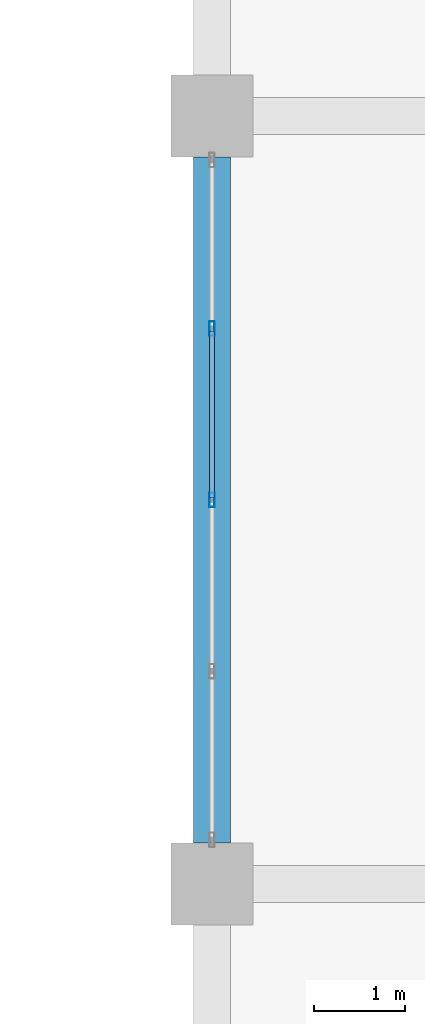
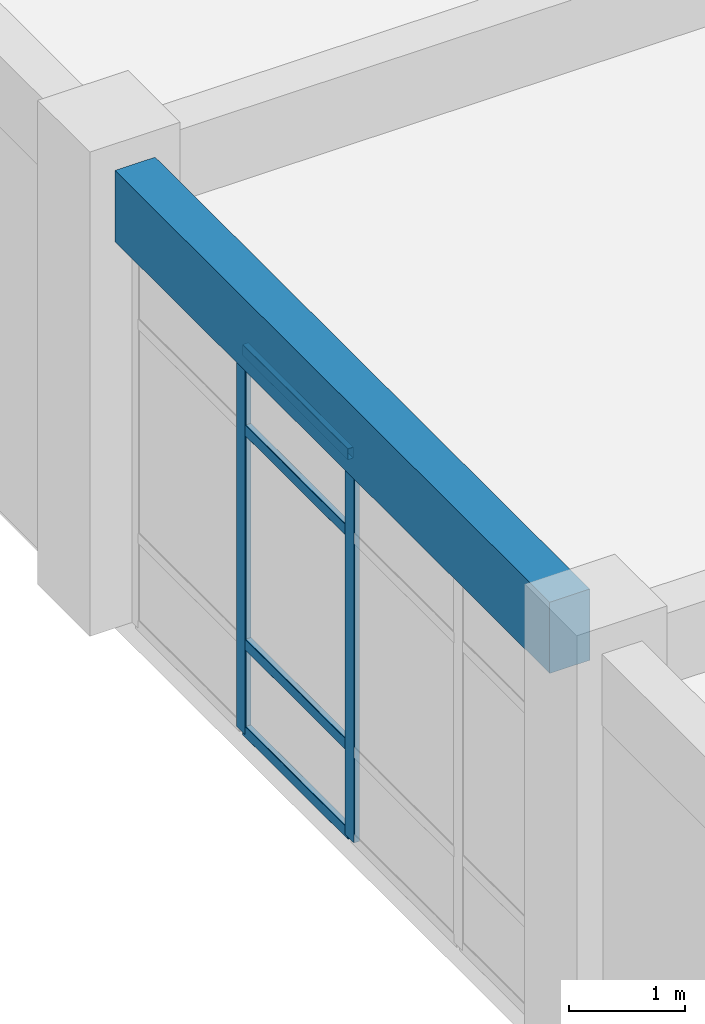
# One storey, part 34 of 120: 6 members, 1 beam, 1 element without a shape of its own.
"""IFC4 building model written with IfcOpenShell, lengths in metres."""

from ifc_helpers import new_model, si_unit, derived_unit, direction, frame, origin, origin_2d, place, context, subcontext, project, spatial, rectangle, hollow_rectangle, extrude, material, layer, layer_set, material_profile, profile_set, type_object, element, aggregate, save


model = new_model("IFC4")

# Units and contexts
model_context = context("Model", 3, precision=1e-05, world=origin(), true_north=direction((0.0, 1.0)))
body_context = subcontext(model_context, "Body", "Model", "MODEL_VIEW")
ifc_project = project(units=[si_unit("LENGTHUNIT", "METRE"), si_unit("AREAUNIT", "SQUARE_METRE"), si_unit("VOLUMEUNIT", "CUBIC_METRE"), si_unit("PLANEANGLEUNIT", "RADIAN"), si_unit("MASSUNIT", "GRAM", prefix="KILO"), derived_unit("THERMALTRANSMITTANCEUNIT", [(si_unit("MASSUNIT", "GRAM", prefix="KILO"), 1), (si_unit("TIMEUNIT", "SECOND"), -3), (si_unit("THERMODYNAMICTEMPERATUREUNIT", "KELVIN"), -1)])], contexts=[model_context])

# Site, building, storey
site_placement = place(None, origin())
site = spatial("IfcSite", under=ifc_project, at=site_placement, CompositionType="ELEMENT")
building_placement = place(site_placement, origin())
building = spatial("IfcBuilding", under=site, at=building_placement, Name="Qinzheling Arcade Emporium", CompositionType="ELEMENT")
storey_placement = place(building_placement, frame((0.0, 0.0, 11.39990234375)))
storey = spatial("IfcBuildingStorey", under=building, at=storey_placement, Name="L03", CompositionType="ELEMENT", Elevation=11.39990234375)

# Curtain wall, members
ifc_material_1 = material(Name="Anodised aluminium and solar-control double glazing", Category="aluminium")
ifc_layer = layer(ifc_material_1, 0.159912109375, Name="Anodised aluminium and solar-control double glazing", Category="aluminium")
ifc_layer_set = layer_set([ifc_layer], Name="Anodised aluminium and solar-control double glazing")
curtain_wall_type = type_object("IfcCurtainWallType", Name="Arcade Portal Glazed Curtain Wall", PredefinedType="NOTDEFINED", material=ifc_layer_set)
curtain_wall_placement = place(storey_placement, origin())
curtain_wall = element("IfcCurtainWall", 1, at=curtain_wall_placement, inside=storey, type_object=curtain_wall_type, Name="Curtain Wall CW-L03-141", PredefinedType="NOTDEFINED")
ifc_material_2 = material(Name="Anodised aluminium 6063-T6", Category="aluminium")
ifc_material_profile_1 = material_profile(ifc_material_2, hollow_rectangle(XDim=0.06005859375, YDim=0.159912109375, WallThickness=0.00390625, InnerFilletRadius=0.00390625, OuterFilletRadius=0.008056640625, at=origin_2d()), Name="RHS 160x60x4", Category="aluminium")
ifc_profile_set_1 = profile_set([ifc_material_profile_1], Name="Anodised aluminium 6063-T6")
member_type_1 = type_object("IfcMemberType", Name="Curtain Wall Mullion RHS160x60", PredefinedType="MULLION", material=ifc_profile_set_1)
member_1_placement = place(storey_placement, frame((104.39990234375, 29.39990234375, 0.0), z_axis=(0.0, 0.0, 1.0), x_axis=(-1.0, 0.0, 0.0)))
member_1 = element("IfcMember", 2, at=member_1_placement, type_object=member_type_1, Name="CW05 mullion 3", PredefinedType="MULLION", context=body_context, shape_type="SweptSolid", body=[
    extrude(hollow_rectangle(XDim=0.06005859375, YDim=0.159912109375, WallThickness=0.00390625, InnerFilletRadius=0.00390625, OuterFilletRadius=0.008056640625, at=origin_2d()), origin(), (0.0, 0.0, 1.0), 4.05517578125),
])
member_2_placement = place(storey_placement, frame((104.39990234375, 31.27392578125, 0.0), z_axis=(0.0, 0.0, 1.0), x_axis=(-1.0, 0.0, 0.0)))
member_2 = element("IfcMember", 3, at=member_2_placement, type_object=member_type_1, Name="CW05 mullion 4", PredefinedType="MULLION", context=body_context, shape_type="SweptSolid", body=[
    extrude(hollow_rectangle(XDim=0.06005859375, YDim=0.159912109375, WallThickness=0.00390625, InnerFilletRadius=0.00390625, OuterFilletRadius=0.008056640625, at=origin_2d()), origin(), (0.0, 0.0, 1.0), 4.05517578125),
])
ifc_material_profile_2 = material_profile(ifc_material_2, hollow_rectangle(XDim=0.06005859375, YDim=0.1201171875, WallThickness=0.00390625, InnerFilletRadius=0.00390625, OuterFilletRadius=0.008056640625, at=origin_2d()), Name="RHS 120x60x4", Category="aluminium")
ifc_profile_set_2 = profile_set([ifc_material_profile_2], Name="Anodised aluminium 6063-T6")
member_type_2 = type_object("IfcMemberType", Name="Curtain Wall Transom RHS120x60", PredefinedType="USERDEFINED", material=ifc_profile_set_2)
member_3_placement = place(storey_placement, frame((104.39990234375, 29.429931640625, 0.030029296875), z_axis=(0.0, 1.0, 0.0), x_axis=(-1.0, 0.0, 0.0)))
member_3 = element("IfcMember", 4, at=member_3_placement, type_object=member_type_2, Name="CW05 transom 3.1", ObjectType="TRANSOM", PredefinedType="USERDEFINED", context=body_context, shape_type="SweptSolid", body=[
    extrude(hollow_rectangle(XDim=0.06005859375, YDim=0.1201171875, WallThickness=0.00390625, InnerFilletRadius=0.00390625, OuterFilletRadius=0.008056640625, at=origin_2d()), origin(), (0.0, 0.0, 1.0), 1.81396484375),
])
member_4_placement = place(storey_placement, frame((104.39990234375, 29.429931640625, 0.9501953125), z_axis=(0.0, 1.0, 0.0), x_axis=(-1.0, 0.0, 0.0)))
member_4 = element("IfcMember", 5, at=member_4_placement, type_object=member_type_2, Name="CW05 transom 3.2", ObjectType="TRANSOM", PredefinedType="USERDEFINED", context=body_context, shape_type="SweptSolid", body=[
    extrude(hollow_rectangle(XDim=0.06005859375, YDim=0.1201171875, WallThickness=0.00390625, InnerFilletRadius=0.00390625, OuterFilletRadius=0.008056640625, at=origin_2d()), origin(), (0.0, 0.0, 1.0), 1.81396484375),
])
member_5_placement = place(storey_placement, frame((104.39990234375, 29.429931640625, 3.205078125), z_axis=(0.0, 1.0, 0.0), x_axis=(-1.0, 0.0, 0.0)))
member_5 = element("IfcMember", 6, at=member_5_placement, type_object=member_type_2, Name="CW05 transom 3.3", ObjectType="TRANSOM", PredefinedType="USERDEFINED", context=body_context, shape_type="SweptSolid", body=[
    extrude(hollow_rectangle(XDim=0.06005859375, YDim=0.1201171875, WallThickness=0.00390625, InnerFilletRadius=0.00390625, OuterFilletRadius=0.008056640625, at=origin_2d()), origin(), (0.0, 0.0, 1.0), 1.81396484375),
])
member_6_placement = place(storey_placement, frame((104.39990234375, 29.429931640625, 4.025146484375), z_axis=(0.0, 1.0, 0.0), x_axis=(-1.0, 0.0, 0.0)))
member_6 = element("IfcMember", 7, at=member_6_placement, type_object=member_type_2, Name="CW05 transom 3.4", ObjectType="TRANSOM", PredefinedType="USERDEFINED", context=body_context, shape_type="SweptSolid", body=[
    extrude(hollow_rectangle(XDim=0.06005859375, YDim=0.1201171875, WallThickness=0.00390625, InnerFilletRadius=0.00390625, OuterFilletRadius=0.008056640625, at=origin_2d()), origin(), (0.0, 0.0, 1.0), 1.81396484375),
])
aggregate(curtain_wall, [member_1, member_2, member_3, member_4, member_5, member_6])

# Beam
ifc_material_3 = material(Name="Concrete C40", Category="concrete")
ifc_material_profile_3 = material_profile(ifc_material_3, rectangle(XDim=0.39990234375, YDim=0.75, at=origin_2d()), Name="RC 400x750", Category="concrete")
ifc_profile_set_3 = profile_set([ifc_material_profile_3], Name="Concrete C40")
beam_type = type_object("IfcBeamType", Name="RC Interior Tie Beam 400x750 C40", PredefinedType="BEAM", material=ifc_profile_set_3)
beam_placement = place(storey_placement, frame((104.39990234375, 25.64990234375, 4.445068359375), z_axis=(0.0, 1.0, 0.0), x_axis=(-1.0, 0.0, 0.0)))
element("IfcBeam", 8, at=beam_placement, inside=storey, type_object=beam_type, Name="Beam BM-L03-Y-13-D", PredefinedType="BEAM", context=body_context, shape_type="SweptSolid", body=[
    extrude(rectangle(XDim=0.39990234375, YDim=0.75, at=origin_2d()), origin(), (0.0, 0.0, 1.0), 7.5),
])

save(model, "model.ifc")
